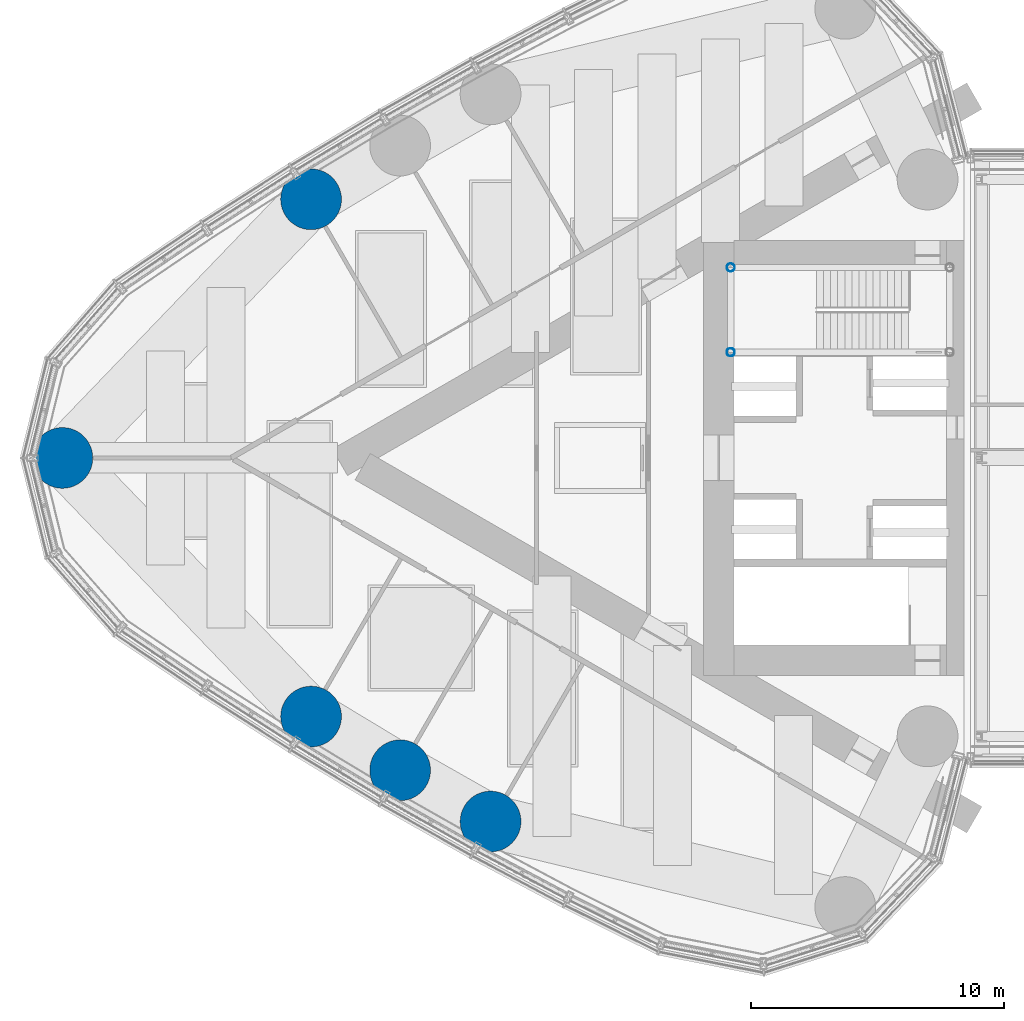
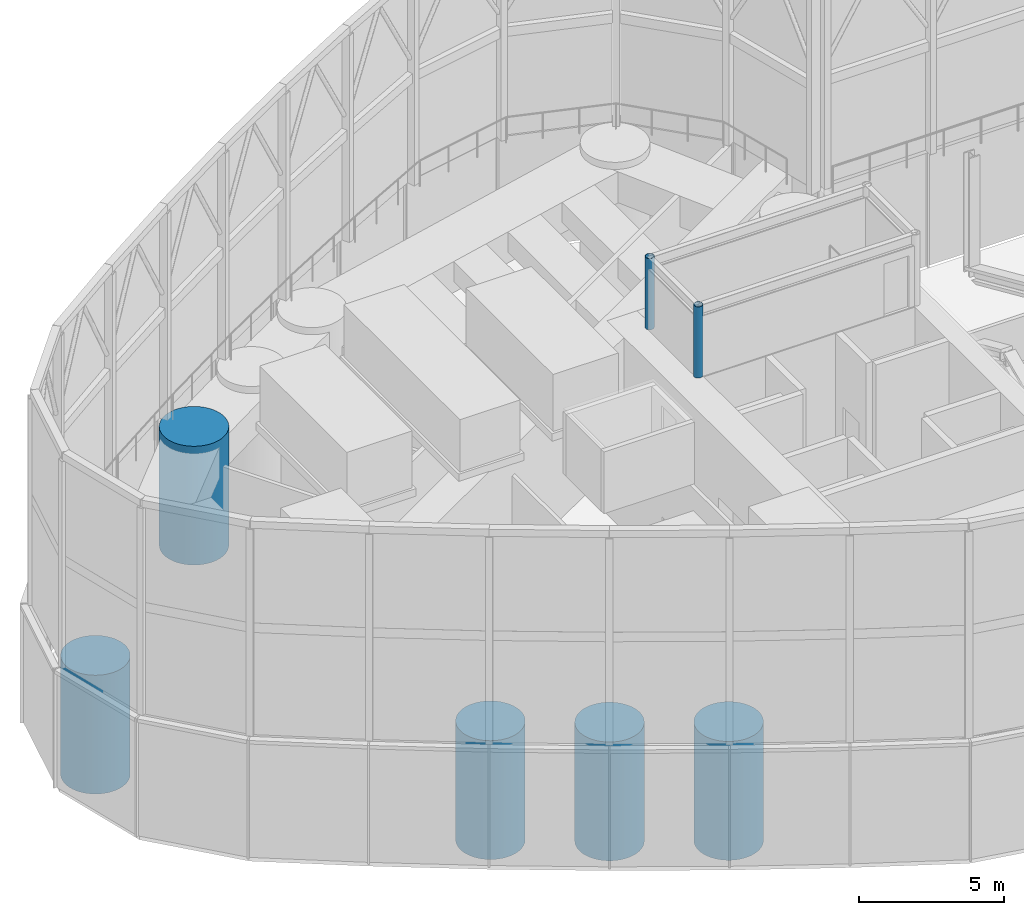
# One storey, part 1 of 33: 7 columns.
"""IFC4 building model written with IfcOpenShell, lengths in metres."""

from ifc_helpers import new_model, si_unit, direction, frame, origin, origin_2d, place, context, subcontext, project, spatial, circle, hollow_circle, extrude, material, material_profile, profile_set, type_object, element, save


model = new_model("IFC4")

# Units and contexts
model_context = context("Model", 3, precision=1e-05, world=origin(), true_north=direction((0.0, 1.0)))
body_context = subcontext(model_context, "Body", "Model", "MODEL_VIEW")
ifc_project = project(units=[si_unit("LENGTHUNIT", "METRE"), si_unit("AREAUNIT", "SQUARE_METRE"), si_unit("VOLUMEUNIT", "CUBIC_METRE"), si_unit("PLANEANGLEUNIT", "RADIAN"), si_unit("MASSUNIT", "GRAM", prefix="KILO")], contexts=[model_context])

# Site, building, storey
site_placement = place(None, origin())
site = spatial("IfcSite", under=ifc_project, at=site_placement, CompositionType="ELEMENT")
building_placement = place(site_placement, origin())
building = spatial("IfcBuilding", under=site, at=building_placement, Name="Lancet Gate Hotel", CompositionType="ELEMENT")
storey_placement = place(building_placement, frame((0.0, 0.0, 268.300048828125)))
storey = spatial("IfcBuildingStorey", under=building, at=storey_placement, Name="L70", CompositionType="ELEMENT", Elevation=268.300048828125)

# Columns
ifc_material_1 = material(Name="Steel S355", Category="steel")
ifc_material_profile_1 = material_profile(ifc_material_1, hollow_circle(Radius=0.161865234375, WallThickness=0.012451171875, at=origin_2d()), Name="CHS 323.9x12.5")
ifc_profile_set_1 = profile_set([ifc_material_profile_1], Name="Steel S355")
column_type_1 = type_object("IfcColumnType", Name="Head-house column CHS 323.9x12.5", PredefinedType="COLUMN", material=ifc_profile_set_1)
for number, where, z_axis, x_axis, name in (
    (1, (-36.824951171875, 7.52490234375, 5.0), (0.0, 0.0, 1.0), (1.0, 0.0, 0.0), "T1 head-house column BO"),
    (2, (-36.824951171875, 4.175048828125, 5.0), (0.0, 0.0, 1.0), (1.0, 0.0, 0.0), "T1 head-house column BI"),
):
    element("IfcColumn", number, at=place(storey_placement, frame(where, z_axis=z_axis, x_axis=x_axis)), inside=storey, type_object=column_type_1, Name=name, PredefinedType="COLUMN", context=body_context, shape_type="SweptSolid", body=[
        extrude(hollow_circle(Radius=0.161865234375, WallThickness=0.012451171875, at=origin_2d()), origin(), (0.0, 0.0, 1.0), 3.0),
    ])
ifc_material_2 = material(Name="Concrete C50/60", Category="concrete")
ifc_material_profile_2 = material_profile(ifc_material_2, circle(Radius=1.199951171875, at=origin_2d()), Name="RC D2400")
ifc_profile_set_2 = profile_set([ifc_material_profile_2], Name="Concrete C50/60")
column_type_2 = type_object("IfcColumnType", Name="Perimeter column RC D2400", PredefinedType="COLUMN", material=ifc_profile_set_2)
for number, where, z_axis, x_axis, name in (
    (3, (-63.234375, 0.0, 0.0), (0.0, 0.0, 1.0), (1.0, 0.0, 0.0), "T1 column CA L70"),
    (4, (-53.40771484375, -10.218994140625, 0.0), (0.0, 0.0, 1.0), (1.0, 0.0, 0.0), "T1 column ON1 L70"),
    (5, (-49.89013671875, -12.340087890625, 0.0), (0.0, 0.0, 1.0), (1.0, 0.0, 0.0), "T1 column ON2 L70"),
    (6, (-46.316650390625, -14.365478515625, 0.0), (0.0, 0.0, 1.0), (1.0, 0.0, 0.0), "T1 column ON3 L70"),
    (7, (-53.40771484375, 10.218994140625, 0.0), (0.0, 0.0, 1.0), (1.0, 0.0, 0.0), "T1 column OS3 L70"),
):
    element("IfcColumn", number, at=place(storey_placement, frame(where, z_axis=z_axis, x_axis=x_axis)), inside=storey, type_object=column_type_2, Name=name, PredefinedType="COLUMN", context=body_context, shape_type="SweptSolid", body=[
        extrude(circle(Radius=1.199951171875, at=origin_2d()), origin(), (0.0, 0.0, 1.0), 5.0),
    ])

save(model, "model.ifc")
